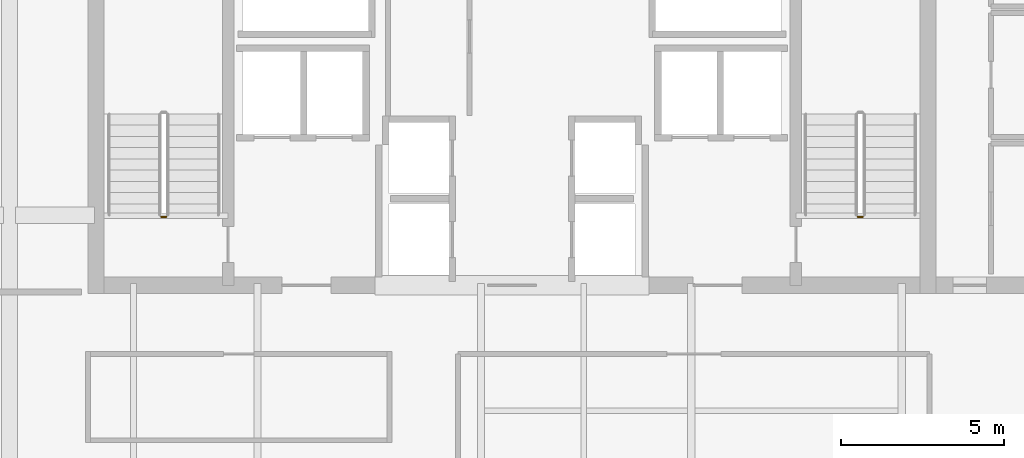
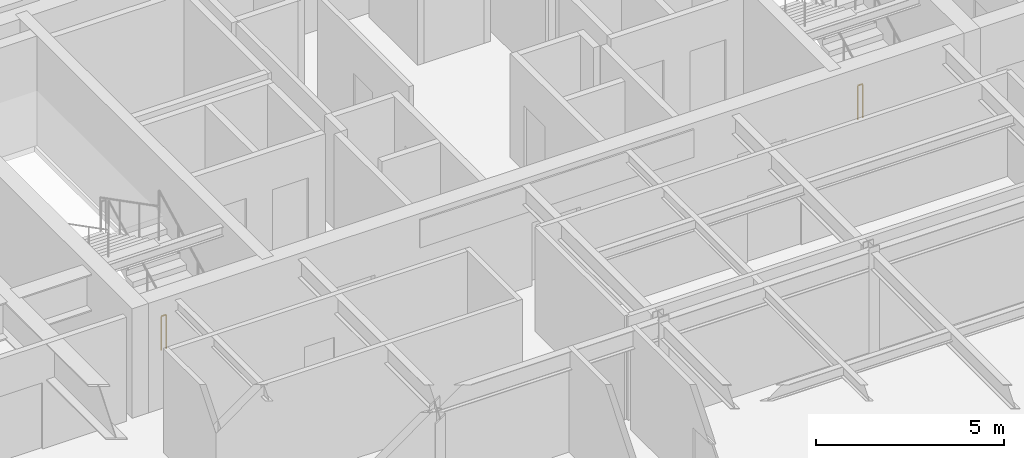
# One storey, part 8 of 10: 2 railings.
"""IFC4 building model written with IfcOpenShell, lengths in metres."""

import ifcopenshell
import ifcopenshell.guid

model = None  # the IFC model being written
_history = None  # IfcOwnerHistory: only IFC2X3 demands one
_inside = {}  # id of a spatial element -> (the spatial element, [elements in it])
_under = {}  # id of a project, library or spatial element -> (it, [spatial elements below it])
_declared = {}  # id of a project -> (the project, [libraries it declares])
_typed = {}  # id of a type object -> (the type object, [elements of that type])
_made_of = {}  # id of a material, layer set ... -> (it, [elements and type objects made of it])


def new_model(schema):
    """Start an empty IFC model of exactly this schema.

    Asked for "IFC4X3", IfcOpenShell would pick the latest addendum, in which some entities
    have other attributes; the version numbers below select the first issue.
    IFC2X3 requires an IfcOwnerHistory on every rooted entity: one is made here for all.
    """
    global model, _history
    if schema == "IFC4X3":
        model = ifcopenshell.file(schema_version=(4, 3, 0, 0))
    else:
        model = ifcopenshell.file(schema=schema)
    _inside.clear()
    _under.clear()
    _declared.clear()
    _typed.clear()
    _made_of.clear()
    _history = None
    if model.schema == "IFC2X3":
        org = make("IfcOrganization", Name="unknown")
        user = make(
            "IfcPersonAndOrganization",
            ThePerson=make("IfcPerson", FamilyName="unknown"),
            TheOrganization=org,
        )
        app = make(
            "IfcApplication",
            ApplicationDeveloper=org,
            Version="unknown",
            ApplicationFullName="unknown",
            ApplicationIdentifier="unknown",
        )
        _history = make(
            "IfcOwnerHistory",
            OwningUser=user,
            OwningApplication=app,
            ChangeAction="ADDED",
            CreationDate=0,
        )
    return model


def make(cls, **values):
    """One entity of the class cls with the attributes given. An attribute that is None is left unset."""
    return model.create_entity(
        cls, **{name: value for name, value in values.items() if value is not None}
    )


def rooted(cls, **values):
    """An entity with a GlobalId (a new one), such as an element, a storey or a relation."""
    return make(cls, GlobalId=ifcopenshell.guid.new(), OwnerHistory=_history, **values)


def si_unit(unit_type, name, prefix=None):
    """IfcSIUnit, for example si_unit("LENGTHUNIT", "METRE", prefix="MILLI")."""
    return make("IfcSIUnit", UnitType=unit_type, Prefix=prefix, Name=name)


def assignment(units):
    """IfcUnitAssignment: the units of a project."""
    return None if units is None else make("IfcUnitAssignment", Units=units)


def point(xyz):
    """IfcCartesianPoint."""
    return None if xyz is None else make("IfcCartesianPoint", Coordinates=xyz)


def direction(xyz):
    """IfcDirection."""
    return None if xyz is None else make("IfcDirection", DirectionRatios=xyz)


def frame(location, z_axis=None, x_axis=None):
    """IfcAxis2Placement3D, a coordinate frame: its origin and axes. An axis left out is left unset."""
    return make(
        "IfcAxis2Placement3D",
        Location=point(location),
        Axis=direction(z_axis),
        RefDirection=direction(x_axis),
    )


def frame_2d(location, x_axis=None):
    """IfcAxis2Placement2D, a coordinate frame in the plane: its origin and x axis."""
    return make(
        "IfcAxis2Placement2D", Location=point(location), RefDirection=direction(x_axis)
    )


def origin():
    """The frame at (0, 0, 0) with its axes left unset."""
    return frame((0.0, 0.0, 0.0))


def origin_2d():
    """The frame at (0, 0) in the plane with its x axis left unset."""
    return frame_2d((0.0, 0.0))


def place(relative_to, where):
    """IfcLocalPlacement: puts the frame where relative to a parent placement (None: the world)."""
    return make(
        "IfcLocalPlacement", PlacementRelTo=relative_to, RelativePlacement=where
    )


def context(
    kind, dimensions, precision=None, world=None, true_north=None, identifier=None
):
    """IfcGeometricRepresentationContext, for example the 3D "Model" context."""
    return make(
        "IfcGeometricRepresentationContext",
        ContextIdentifier=identifier,
        ContextType=kind,
        CoordinateSpaceDimension=dimensions,
        Precision=precision,
        WorldCoordinateSystem=world,
        TrueNorth=true_north,
    )


def subcontext(parent, identifier, kind, view, scale=None):
    """IfcGeometricRepresentationSubContext, for example "Body" below "Model"."""
    return make(
        "IfcGeometricRepresentationSubContext",
        ContextIdentifier=identifier,
        ContextType=kind,
        ParentContext=parent,
        TargetScale=scale,
        TargetView=view,
    )


def project(units=None, contexts=None):
    """IfcProject with its units and contexts."""
    return rooted(
        "IfcProject",
        Name="project",
        RepresentationContexts=contexts,
        UnitsInContext=assignment(units),
    )


def spatial(cls, under=None, at=None, **own):
    """A site, building, storey or space (cls), placed at a placement, below another one or the project."""
    s = rooted(cls, ObjectPlacement=at, **own)
    if under is not None:
        _under.setdefault(under.id(), (under, []))[1].append(s)
    return s


def profile(cls, at=None, kind="AREA", **sizes):
    """A parametric profile (cls). Its sizes go by their IFC names, for example OverallWidth=200.0."""
    return make(cls, ProfileType=kind, Position=at, **sizes)


def circle(**sizes):
    """IfcCircleProfileDef."""
    return profile("IfcCircleProfileDef", **sizes)


def extrude(swept, where, along, depth):
    """IfcExtrudedAreaSolid: the profile swept, set in the frame where, extruded along a direction by depth."""
    return make(
        "IfcExtrudedAreaSolid",
        SweptArea=swept,
        Position=where,
        ExtrudedDirection=direction(along),
        Depth=depth,
    )


def shape(context_of_items, identifier, shape_type, items):
    """IfcShapeRepresentation: the items that make up one representation, for example the "Body"."""
    return make(
        "IfcShapeRepresentation",
        ContextOfItems=context_of_items,
        RepresentationIdentifier=identifier,
        RepresentationType=shape_type,
        Items=items,
    )


def material(Name=None, Category=None):
    """IfcMaterial."""
    return make("IfcMaterial", Name=Name, Category=Category)


def made_of(thing, what):
    """Note that an element or type object is made of a material, layer set ...; save() writes the relation."""
    if what is not None:
        _made_of.setdefault(what.id(), (what, []))[1].append(thing)
    return thing


def type_object(cls, material=None, **own):
    """A type object (cls), such as IfcWallType, which elements share."""
    return made_of(rooted(cls, **own), material)


def element(
    cls,
    number,
    at=None,
    inside=None,
    cuts=None,
    type_object=None,
    material=None,
    context=None,
    identifier="Body",
    shape_type=None,
    held_by="IfcProductDefinitionShape",
    body=None,
    shapes=None,
    **own,
):
    """One element of the class cls, such as IfcWall. Its Tag is "e" and its number.

    at: its placement. inside: the storey or other place that contains it. cuts: it is an
    opening in that element (IfcRelVoidsElement). A single representation is given by context,
    identifier, shape_type and body (its items); several are given by shapes. held_by: the class
    of the entity that holds the representations. save() writes the other relations.
    """
    e = rooted(cls, Tag="e%d" % number, ObjectPlacement=at, **own)
    if body is not None:
        shapes = [shape(context, identifier, shape_type, body)]
    if shapes is not None:
        e.Representation = make(held_by, Representations=shapes)
    if inside is not None:
        _inside.setdefault(inside.id(), (inside, []))[1].append(e)
    if cuts is not None:
        rooted(
            "IfcRelVoidsElement", RelatingBuildingElement=cuts, RelatedOpeningElement=e
        )
    if type_object is not None:
        _typed.setdefault(type_object.id(), (type_object, []))[1].append(e)
    return made_of(e, material)


def aggregate(whole, parts):
    """IfcRelAggregates: a whole, such as a stair, and the parts it consists of."""
    return rooted("IfcRelAggregates", RelatingObject=whole, RelatedObjects=parts)


def save(model, path):
    """Write the relations noted so far, then the file.

    IfcRelAggregates (storeys below a building ...), IfcRelContainedInSpatialStructure (elements
    in a storey), IfcRelDefinesByType, IfcRelAssociatesMaterial and IfcRelDeclares: one each for
    every whole, place, type object, material and project.
    """
    for whole, parts in _under.values():
        aggregate(whole, parts)
    for where, things in _inside.values():
        rooted(
            "IfcRelContainedInSpatialStructure",
            RelatedElements=things,
            RelatingStructure=where,
        )
    for kind, things in _typed.values():
        rooted("IfcRelDefinesByType", RelatedObjects=things, RelatingType=kind)
    for what, things in _made_of.values():
        rooted("IfcRelAssociatesMaterial", RelatedObjects=things, RelatingMaterial=what)
    for by, libraries in _declared.values():
        rooted("IfcRelDeclares", RelatingContext=by, RelatedDefinitions=libraries)
    model.write(path)


model = new_model("IFC4")

# Units and contexts
model_context = context("Model", 3, precision=1e-05, world=origin(), true_north=direction((0.0, 1.0)))
body_context = subcontext(model_context, "Body", "Model", "MODEL_VIEW")
ifc_project = project(units=[si_unit("LENGTHUNIT", "METRE"), si_unit("AREAUNIT", "SQUARE_METRE"), si_unit("VOLUMEUNIT", "CUBIC_METRE"), si_unit("PLANEANGLEUNIT", "RADIAN"), si_unit("MASSUNIT", "GRAM", prefix="KILO")], contexts=[model_context])

# Site, building, storey
site_placement = place(None, origin())
site = spatial("IfcSite", under=ifc_project, at=site_placement, CompositionType="ELEMENT")
building_placement = place(site_placement, origin())
building = spatial("IfcBuilding", under=site, at=building_placement, Name="Tolvann Quenvar Hotel", CompositionType="ELEMENT")
storey_placement = place(building_placement, frame((0.0, 0.0, 220.35009765625)))
storey = spatial("IfcBuildingStorey", under=building, at=storey_placement, Name="L58", CompositionType="ELEMENT", Elevation=220.35009765625)

# Railings
ifc_material = material(Name="Brushed 316 stainless steel balustrade and handrail", Category="steel")
railing_type = type_object("IfcRailingType", Name="GUARDRAIL", PredefinedType="GUARDRAIL", material=ifc_material)
for number, where, name in (
    (1, (12.39990234375, 33.949951171875, 0.0), "L58 ST-C1 stair guard 4"),
    (2, (33.75, 33.949951171875, 0.0), "L58 ST-C2 stair guard 4"),
):
    element("IfcRailing", number, at=place(storey_placement, frame(where)), inside=storey, type_object=railing_type, Name=name, PredefinedType="GUARDRAIL", context=body_context, shape_type="SweptSolid", body=[
        extrude(circle(Radius=0.02392578125, at=origin_2d()), frame((0.0, 0.0, 1.09619140625), z_axis=(-1.0, 0.0, 0.0), x_axis=(0.0, -1.0, 0.0)), (0.0, 0.0, 1.0), 0.14990234375),
        extrude(circle(Radius=0.02099609375, at=origin_2d()), origin(), (0.0, 0.0, 1.0), 1.072021484375),
        extrude(circle(Radius=0.02099609375, at=origin_2d()), frame((-0.14990234375, 0.0, 0.0)), (0.0, 0.0, 1.0), 1.072021484375),
    ])

save(model, "model.ifc")
